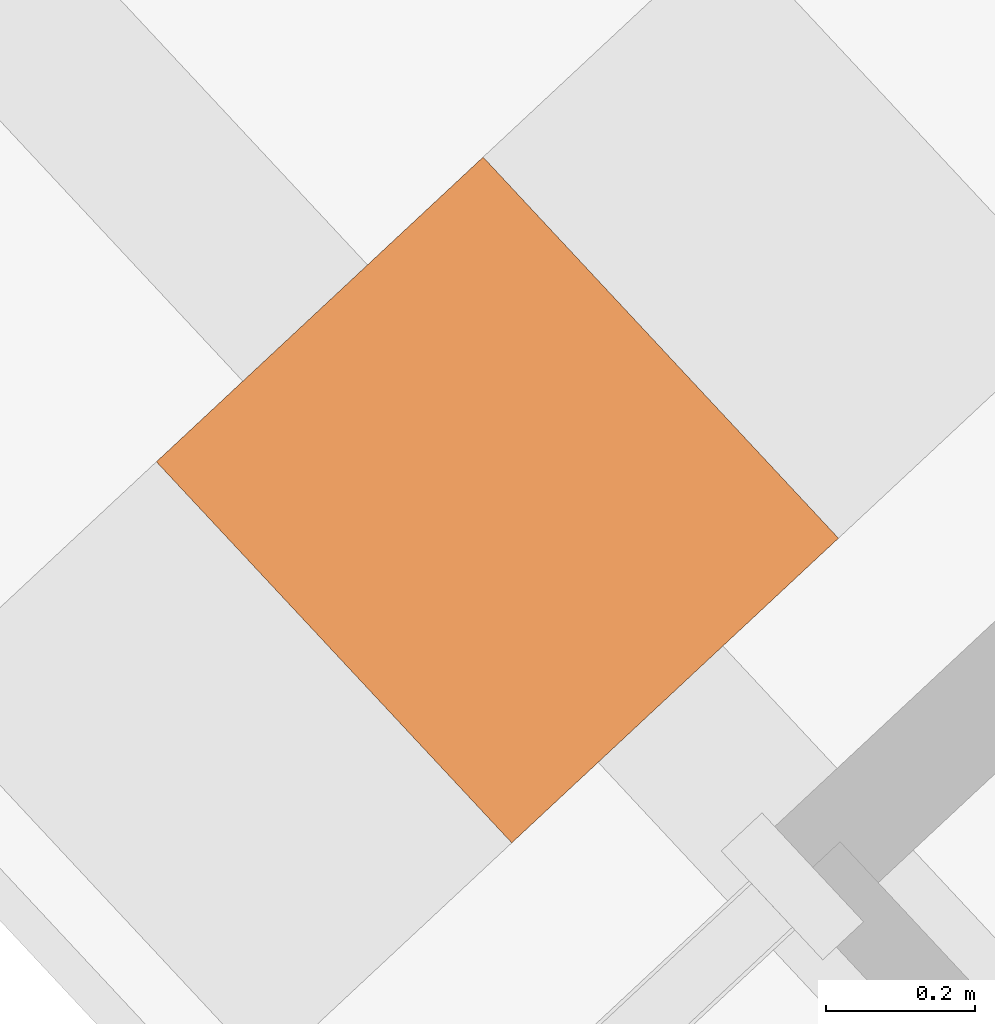
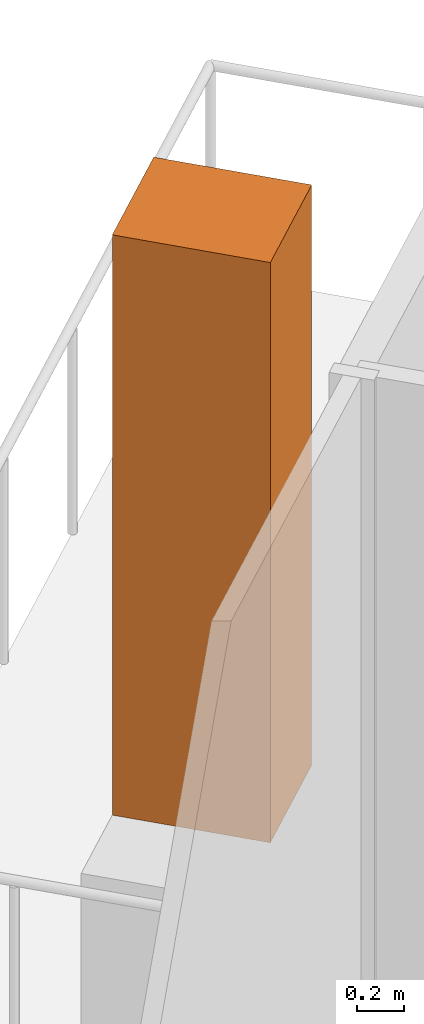
# One storey, part 19 of 19: 1 geographic element.
"""IFC4 building model written with IfcOpenShell, lengths in metres."""

from ifc_helpers import new_model, si_unit, direction, frame, origin, origin_2d, place, context, subcontext, project, spatial, rectangle, extrude, source, transform, mapped, material, type_object, element, save


model = new_model("IFC4")

# Units and contexts
model_context = context("Model", 3, precision=1e-05, world=origin(), true_north=direction((0.0, 1.0)))
body_context = subcontext(model_context, "Body", "Model", "MODEL_VIEW")
ifc_project = project(units=[si_unit("LENGTHUNIT", "METRE"), si_unit("AREAUNIT", "SQUARE_METRE"), si_unit("VOLUMEUNIT", "CUBIC_METRE"), si_unit("PLANEANGLEUNIT", "RADIAN"), si_unit("MASSUNIT", "GRAM", prefix="KILO")], contexts=[model_context])

# Site, building, storey
site_placement = place(None, origin())
site = spatial("IfcSite", under=ifc_project, at=site_placement, CompositionType="ELEMENT")
building_placement = place(site_placement, origin())
building = spatial("IfcBuilding", under=site, at=building_placement, Name="Triune Harvest Tower", CompositionType="ELEMENT")
storey_placement = place(building_placement, frame((0.0, 0.0, 109.10009765625)))
storey = spatial("IfcBuildingStorey", under=building, at=storey_placement, Name="L27", CompositionType="ELEMENT", Elevation=109.10009765625)

# Geographic element
ifc_material = material(Name="TREE-1 tree")
geographic_element_type = type_object("IfcGeographicElementType", Name="TREE-1 tree", PredefinedType="USERDEFINED", material=ifc_material)
shared_shape = source(origin(), body_context, "Body", "SweptSolid", [
    extrude(rectangle(XDim=0.60009765625, YDim=0.699951171875, at=origin_2d()), origin(), (0.0, 0.0, 1.0), 3.0),
])
geographic_element_placement = place(storey_placement, frame((-15.444091796875, 16.60107421875, 1.099853515625), z_axis=(0.0, 0.0, 1.0), x_axis=(-0.73135336394, -0.681998722179, 0.0)))
element("IfcGeographicElement", 1, at=geographic_element_placement, inside=storey, type_object=geographic_element_type, Name="Tree B3-F3 L27.6b", ObjectType="TREE", PredefinedType="USERDEFINED", context=body_context, shape_type="MappedRepresentation", body=[
    mapped(shared_shape, transform((0.0, 0.0, 0.0), scale=1.0)),
])

save(model, "model.ifc")
